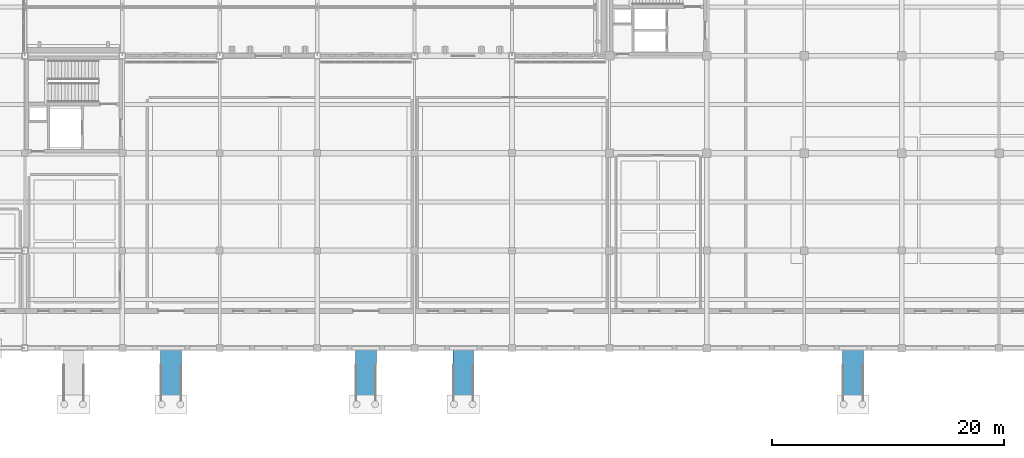
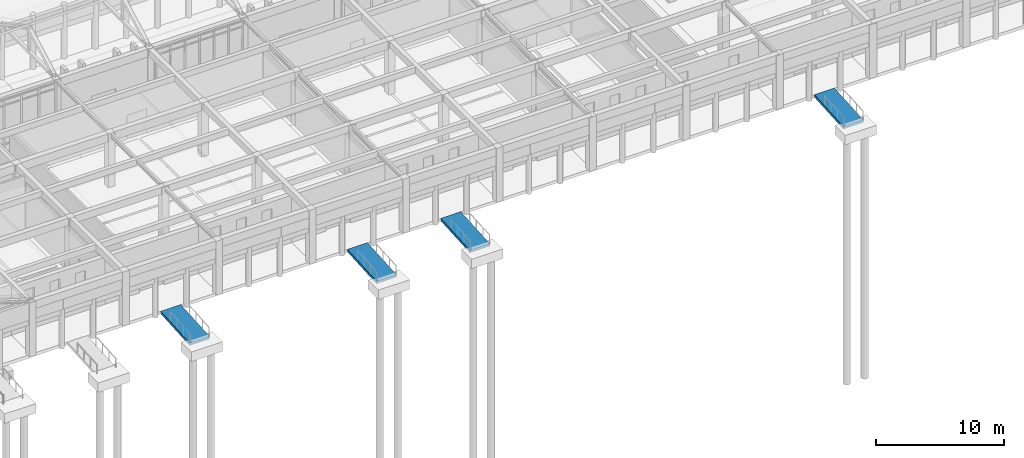
# One storey, part 130 of 143: 4 ramp flights, 4 elements without a shape of their own.
"""IFC4 building model written with IfcOpenShell, lengths in metres."""

from ifc_helpers import new_model, si_unit, direction, frame, origin, place, context, subcontext, project, spatial, polyline, outline, extrude, material, layer, layer_set, type_object, element, aggregate, save


model = new_model("IFC4")

# Units and contexts
model_context = context("Model", 3, precision=1e-05, world=origin(), true_north=direction((0.0, 1.0)))
body_context = subcontext(model_context, "Body", "Model", "MODEL_VIEW")
ifc_project = project(units=[si_unit("LENGTHUNIT", "METRE"), si_unit("AREAUNIT", "SQUARE_METRE"), si_unit("VOLUMEUNIT", "CUBIC_METRE"), si_unit("PLANEANGLEUNIT", "RADIAN"), si_unit("MASSUNIT", "GRAM", prefix="KILO")], contexts=[model_context])

# Site, building, storey
site_placement = place(None, origin())
site = spatial("IfcSite", under=ifc_project, at=site_placement, CompositionType="ELEMENT")
building_placement = place(site_placement, origin())
building = spatial("IfcBuilding", under=site, at=building_placement, Name="Kveldsbrygga Polytechnic", CompositionType="ELEMENT")
storey_placement = place(building_placement, origin())
storey = spatial("IfcBuildingStorey", under=building, at=storey_placement, Name="L00", CompositionType="ELEMENT", Elevation=0.0)

# Ramp, ramp flight
ifc_material = material(Name="Concrete C35/45", Category="concrete")
ramp_type = type_object("IfcRampType", Name="RMP-PROM-180", PredefinedType="STRAIGHT_RUN_RAMP", material=ifc_material)
ramp_1_placement = place(storey_placement, origin())
ramp_1 = element("IfcRamp", 1, at=ramp_1_placement, inside=storey, type_object=ramp_type, Name="Step-Free Promenade Ramp RMP-03", PredefinedType="STRAIGHT_RUN_RAMP")
ifc_layer = layer(ifc_material, 0.25)
ifc_layer_set = layer_set([ifc_layer], Name="Concrete C35/45")
ramp_flight_type = type_object("IfcRampFlightType", Name="RMF-PROM-180", PredefinedType="STRAIGHT", material=ifc_layer_set)
ramp_flight_1_placement = place(storey_placement, frame((87.300048828125, -4.5, -0.300048828125), z_axis=(0.0, -0.066236419102, 0.99780395709), x_axis=(1.0, 0.0, 0.0)))
ramp_flight_1 = element("IfcRampFlight", 2, at=ramp_flight_1_placement, type_object=ramp_flight_type, Name="Step-Free Ramp Flight RMP-03-FL1", PredefinedType="STRAIGHT", context=body_context, shape_type="SweptSolid", body=[
    extrude(outline(polyline([(0.0, 0.0), (1.800048828125, 0.0), (1.800048828125, 4.529967534336273), (0.0, 4.529967534336273), (0.0, 0.0)])), origin(), (0.0, 0.0, -1.0), 0.25),
])
aggregate(ramp_1, [ramp_flight_1])

ramp_2_placement = place(storey_placement, origin())
ramp_2 = element("IfcRamp", 3, at=ramp_2_placement, inside=storey, type_object=ramp_type, Name="Step-Free Promenade Ramp RMP-04", PredefinedType="STRAIGHT_RUN_RAMP")
ramp_flight_2_placement = place(storey_placement, frame((104.10009765625, -4.5, -0.300048828125), z_axis=(0.0, -0.066236419102, 0.99780395709), x_axis=(1.0, 0.0, 0.0)))
ramp_flight_2 = element("IfcRampFlight", 4, at=ramp_flight_2_placement, type_object=ramp_flight_type, Name="Step-Free Ramp Flight RMP-04-FL1", PredefinedType="STRAIGHT", context=body_context, shape_type="SweptSolid", body=[
    extrude(outline(polyline([(0.0, 0.0), (1.7998046875, 0.0), (1.7998046875, 4.529967534336273), (0.0, 4.529967534336273), (0.0, 0.0)])), origin(), (0.0, 0.0, -1.0), 0.25),
])
aggregate(ramp_2, [ramp_flight_2])

ramp_3_placement = place(storey_placement, origin())
ramp_3 = element("IfcRamp", 5, at=ramp_3_placement, inside=storey, type_object=ramp_type, Name="Step-Free Promenade Ramp RMP-05", PredefinedType="STRAIGHT_RUN_RAMP")
ramp_flight_3_placement = place(storey_placement, frame((112.5, -4.5, -0.300048828125), z_axis=(0.0, -0.066236419102, 0.99780395709), x_axis=(1.0, 0.0, 0.0)))
ramp_flight_3 = element("IfcRampFlight", 6, at=ramp_flight_3_placement, type_object=ramp_flight_type, Name="Step-Free Ramp Flight RMP-05-FL1", PredefinedType="STRAIGHT", context=body_context, shape_type="SweptSolid", body=[
    extrude(outline(polyline([(0.0, 0.0), (1.800048828125, 0.0), (1.800048828125, 4.529967534336273), (0.0, 4.529967534336273), (0.0, 0.0)])), origin(), (0.0, 0.0, -1.0), 0.25),
])
aggregate(ramp_3, [ramp_flight_3])

ramp_4_placement = place(storey_placement, origin())
ramp_4 = element("IfcRamp", 7, at=ramp_4_placement, inside=storey, type_object=ramp_type, Name="Step-Free Promenade Ramp RMP-06", PredefinedType="STRAIGHT_RUN_RAMP")
ramp_flight_4_placement = place(storey_placement, frame((146.10009765625, -4.5, -0.300048828125), z_axis=(0.0, -0.066236419102, 0.99780395709), x_axis=(1.0, 0.0, 0.0)))
ramp_flight_4 = element("IfcRampFlight", 8, at=ramp_flight_4_placement, type_object=ramp_flight_type, Name="Step-Free Ramp Flight RMP-06-FL1", PredefinedType="STRAIGHT", context=body_context, shape_type="SweptSolid", body=[
    extrude(outline(polyline([(0.0, 0.0), (1.7998046875, 0.0), (1.7998046875, 4.529967534336273), (0.0, 4.529967534336273), (0.0, 0.0)])), origin(), (0.0, 0.0, -1.0), 0.25),
])
aggregate(ramp_4, [ramp_flight_4])

save(model, "model.ifc")
